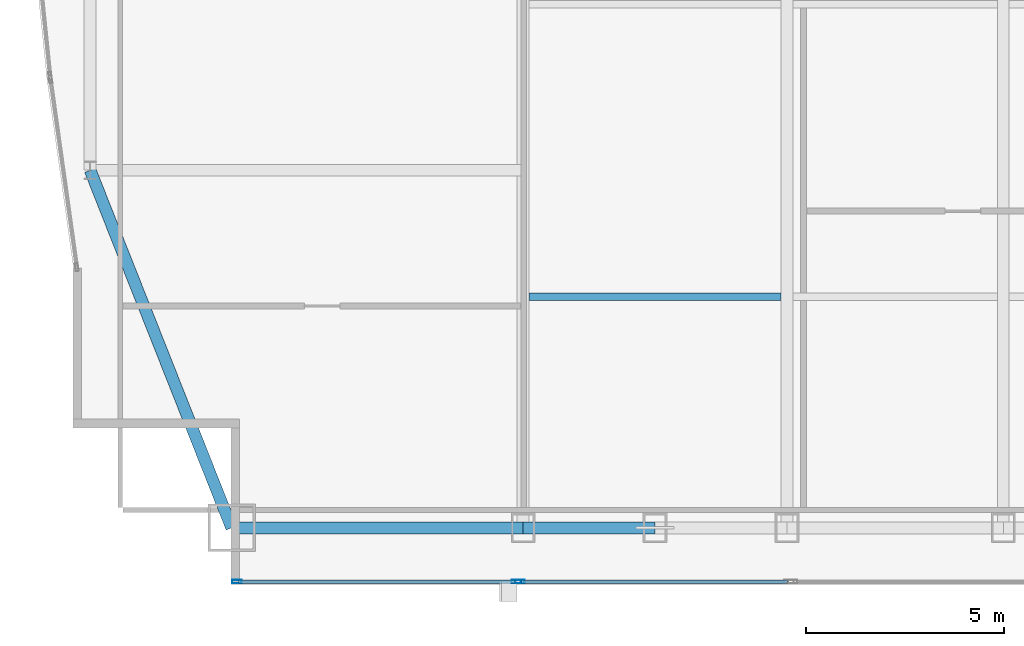
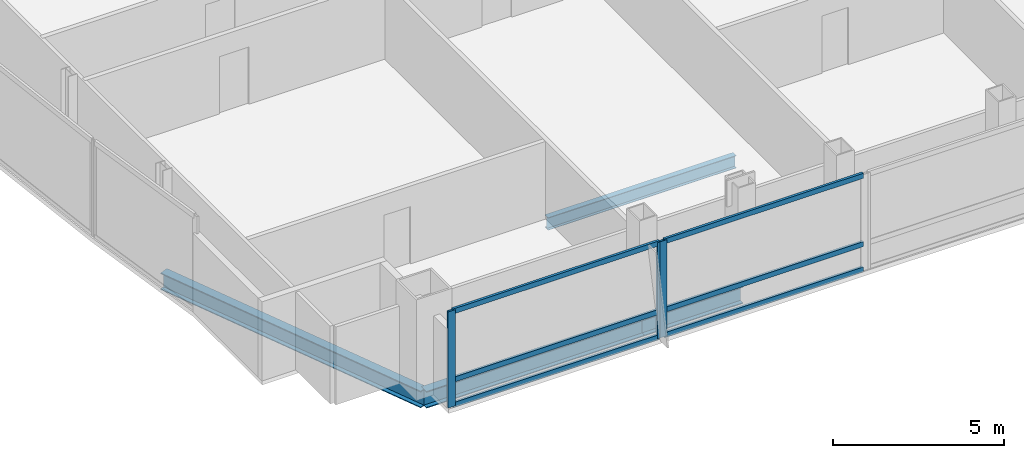
# One storey, part 5 of 32: 9 members, 4 beams, 2 elements without a shape of their own.
"""IFC4 building model written with IfcOpenShell, lengths in metres."""

from ifc_helpers import new_model, si_unit, direction, frame, origin, origin_2d, place, context, subcontext, project, spatial, hollow_rectangle, i_section, extrude, material, material_profile, profile_set, type_object, element, aggregate, save


model = new_model("IFC4")

# Units and contexts
model_context = context("Model", 3, precision=1e-05, world=origin(), true_north=direction((0.0, 1.0)))
body_context = subcontext(model_context, "Body", "Model", "MODEL_VIEW")
ifc_project = project(units=[si_unit("LENGTHUNIT", "METRE"), si_unit("AREAUNIT", "SQUARE_METRE"), si_unit("VOLUMEUNIT", "CUBIC_METRE"), si_unit("PLANEANGLEUNIT", "RADIAN"), si_unit("MASSUNIT", "GRAM", prefix="KILO")], contexts=[model_context])

# Site, building, storey
site_placement = place(None, origin())
site = spatial("IfcSite", under=ifc_project, at=site_placement, CompositionType="ELEMENT")
building_placement = place(site_placement, origin())
building = spatial("IfcBuilding", under=site, at=building_placement, Name="Khoronbel Lancet Exchange", CompositionType="ELEMENT")
storey_placement = place(building_placement, frame((0.0, 0.0, 228.199951171875)))
storey = spatial("IfcBuildingStorey", under=building, at=storey_placement, Name="L58", CompositionType="ELEMENT", Elevation=228.199951171875)

# Beams
ifc_material_1 = material(Name="Steel S355", Category="steel")
ifc_material_profile_1 = material_profile(ifc_material_1, i_section(OverallWidth=0.18994140625, OverallDepth=0.449951171875, WebThickness=0.009521484375, FlangeThickness=0.0146484375, at=origin_2d()), Name="IPE 450")
ifc_profile_set_1 = profile_set([ifc_material_profile_1], Name="Steel S355")
beam_type_1 = type_object("IfcBeamType", Name="BM-BJ4", PredefinedType="JOIST", material=ifc_profile_set_1)
beam_1_placement = place(storey_placement, frame((18.375, 16.0, -0.385009765625), z_axis=(1.0, 0.0, 0.0), x_axis=(0.0, 1.0, 0.0)))
element("IfcBeam", 1, at=beam_1_placement, inside=storey, type_object=beam_type_1, Name="Level L58 secondary composite joist J01", PredefinedType="JOIST", context=body_context, shape_type="SweptSolid", body=[
    extrude(i_section(OverallWidth=0.18994140625, OverallDepth=0.449951171875, WebThickness=0.009521484375, FlangeThickness=0.0146484375, at=origin_2d()), origin(), (0.0, 0.0, 1.0), 6.375),
])
ifc_material_profile_2 = material_profile(ifc_material_1, i_section(OverallWidth=0.300048828125, OverallDepth=0.60009765625, WebThickness=0.015380859375, FlangeThickness=0.030029296875, at=origin_2d()), Name="HEB 600")
ifc_profile_set_2 = profile_set([ifc_material_profile_2], Name="Steel S355")
beam_type_2 = type_object("IfcBeamType", Name="BM-BSP2", PredefinedType="SPANDREL", material=ifc_profile_set_2)
beam_2_placement = place(storey_placement, frame((10.85009765625, 10.14990234375, -0.4599609375), z_axis=(1.0, 0.0, 0.0), x_axis=(0.0, 1.0, 0.0)))
element("IfcBeam", 2, at=beam_2_placement, inside=storey, type_object=beam_type_2, Name="Level L58 perimeter spandrel beam SP01", PredefinedType="SPANDREL", context=body_context, shape_type="SweptSolid", body=[
    extrude(i_section(OverallWidth=0.300048828125, OverallDepth=0.60009765625, WebThickness=0.015380859375, FlangeThickness=0.030029296875, at=origin_2d()), origin(), (0.0, 0.0, 1.0), 7.375),
])
beam_3_placement = place(storey_placement, frame((18.22509765625, 10.14990234375, -0.4599609375), z_axis=(1.0, 0.0, 0.0), x_axis=(0.0, 1.0, 0.0)))
element("IfcBeam", 3, at=beam_3_placement, inside=storey, type_object=beam_type_2, Name="Level L58 perimeter spandrel beam SP02", PredefinedType="SPANDREL", context=body_context, shape_type="SweptSolid", body=[
    extrude(i_section(OverallWidth=0.300048828125, OverallDepth=0.60009765625, WebThickness=0.015380859375, FlangeThickness=0.030029296875, at=origin_2d()), origin(), (0.0, 0.0, 1.0), 3.33740234375),
])
beam_4_placement = place(storey_placement, frame((7.27001953125, 19.199951171875, -0.4599609375), z_axis=(0.367850095026, -0.92988510451, 0.0), x_axis=(0.92988510451, 0.367850095026, 0.0)))
element("IfcBeam", 4, at=beam_4_placement, inside=storey, type_object=beam_type_2, Name="Level L58 perimeter spandrel beam SP21", PredefinedType="SPANDREL", context=body_context, shape_type="SweptSolid", body=[
    extrude(i_section(OverallWidth=0.300048828125, OverallDepth=0.60009765625, WebThickness=0.015380859375, FlangeThickness=0.030029296875, at=origin_2d()), origin(), (0.0, 0.0, 1.0), 9.732421875),
])

# Curtain wall, members
ifc_material_2 = material(Name="Low-E Solar Control Insulating Glass", Category="glass")
curtain_wall_type = type_object("IfcCurtainWallType", Name="CW-3", PredefinedType="NOTDEFINED", material=ifc_material_2)
curtain_wall_1_placement = place(storey_placement, origin())
curtain_wall_1 = element("IfcCurtainWall", 5, at=curtain_wall_1_placement, inside=storey, type_object=curtain_wall_type, Name="Unitised curtain wall CW-L58-SWV", PredefinedType="NOTDEFINED")
ifc_material_3 = material(Name="Bronze-Anodised Aluminium 6063-T6", Category="aluminium")
ifc_material_profile_3 = material_profile(ifc_material_3, hollow_rectangle(XDim=0.0849609375, YDim=0.239990234375, WallThickness=0.006103515625, at=origin_2d()), Name="ALU MULLION 85x240")
ifc_profile_set_3 = profile_set([ifc_material_profile_3], Name="Bronze-Anodised Aluminium 6063-T6")
member_type_1 = type_object("IfcMemberType", Name="MEM-CWM1", PredefinedType="MULLION", material=ifc_profile_set_3)
member_1_placement = place(storey_placement, frame((10.982421875, 8.7900390625, 0.0), z_axis=(0.0, 0.0, 1.0), x_axis=(0.0, 1.0, 0.0)))
member_1 = element("IfcMember", 6, at=member_1_placement, type_object=member_type_1, Name="CW3 mullion 1", PredefinedType="MULLION", context=body_context, shape_type="SweptSolid", body=[
    extrude(hollow_rectangle(XDim=0.0849609375, YDim=0.239990234375, WallThickness=0.006103515625, at=origin_2d()), origin(), (0.0, 0.0, 1.0), 3.43994140625),
])
member_2_placement = place(storey_placement, frame((18.0576171875, 8.7900390625, 0.0), z_axis=(0.0, 0.0, 1.0), x_axis=(0.0, 1.0, 0.0)))
member_2 = element("IfcMember", 7, at=member_2_placement, type_object=member_type_1, Name="CW3 mullion 2", PredefinedType="MULLION", context=body_context, shape_type="SweptSolid", body=[
    extrude(hollow_rectangle(XDim=0.0849609375, YDim=0.239990234375, WallThickness=0.006103515625, at=origin_2d()), origin(), (0.0, 0.0, 1.0), 3.43994140625),
])

# Curtain wall, member
curtain_wall_2_placement = place(storey_placement, origin())
curtain_wall_2 = element("IfcCurtainWall", 8, at=curtain_wall_2_placement, inside=storey, type_object=curtain_wall_type, Name="Unitised curtain wall CW-L58-SWB", PredefinedType="NOTDEFINED")
member_3_placement = place(storey_placement, frame((18.142578125, 8.7900390625, 0.0), z_axis=(0.0, 0.0, 1.0), x_axis=(0.0, 1.0, 0.0)))
member_3 = element("IfcMember", 9, at=member_3_placement, type_object=member_type_1, Name="CW3 mullion 1", PredefinedType="MULLION", context=body_context, shape_type="SweptSolid", body=[
    extrude(hollow_rectangle(XDim=0.0849609375, YDim=0.239990234375, WallThickness=0.006103515625, at=origin_2d()), origin(), (0.0, 0.0, 1.0), 3.43994140625),
])

# Member
ifc_material_profile_4 = material_profile(ifc_material_3, hollow_rectangle(XDim=0.0849609375, YDim=0.179931640625, WallThickness=0.0048828125, at=origin_2d()), Name="ALU TRANSOM 85x180")
ifc_profile_set_4 = profile_set([ifc_material_profile_4], Name="Bronze-Anodised Aluminium 6063-T6")
member_type_2 = type_object("IfcMemberType", Name="MEM-CWT1", PredefinedType="USERDEFINED", material=ifc_profile_set_4)
member_4_placement = place(storey_placement, frame((11.02490234375, 8.7900390625, 0.04248046875), z_axis=(1.0, 0.0, 0.0), x_axis=(0.0, 1.0, 0.0)))
member_4 = element("IfcMember", 10, at=member_4_placement, type_object=member_type_2, Name="CW3 transom 1.1", ObjectType="TRANSOM", PredefinedType="USERDEFINED", context=body_context, shape_type="SweptSolid", body=[
    extrude(hollow_rectangle(XDim=0.0849609375, YDim=0.179931640625, WallThickness=0.0048828125, at=origin_2d()), origin(), (0.0, 0.0, 1.0), 6.989990234375),
])

member_5_placement = place(storey_placement, frame((11.02490234375, 8.7900390625, 0.949951171875), z_axis=(1.0, 0.0, 0.0), x_axis=(0.0, 1.0, 0.0)))
member_5 = element("IfcMember", 11, at=member_5_placement, type_object=member_type_2, Name="CW3 transom 1.2", ObjectType="TRANSOM", PredefinedType="USERDEFINED", context=body_context, shape_type="SweptSolid", body=[
    extrude(hollow_rectangle(XDim=0.0849609375, YDim=0.179931640625, WallThickness=0.0048828125, at=origin_2d()), origin(), (0.0, 0.0, 1.0), 6.989990234375),
])

member_6_placement = place(storey_placement, frame((11.02490234375, 8.7900390625, 3.3974609375), z_axis=(1.0, 0.0, 0.0), x_axis=(0.0, 1.0, 0.0)))
member_6 = element("IfcMember", 12, at=member_6_placement, type_object=member_type_2, Name="CW3 transom 1.3", ObjectType="TRANSOM", PredefinedType="USERDEFINED", context=body_context, shape_type="SweptSolid", body=[
    extrude(hollow_rectangle(XDim=0.0849609375, YDim=0.179931640625, WallThickness=0.0048828125, at=origin_2d()), origin(), (0.0, 0.0, 1.0), 6.989990234375),
])

aggregate(curtain_wall_1, [member_1, member_2, member_4, member_5, member_6])

member_7_placement = place(storey_placement, frame((18.18505859375, 8.7900390625, 0.04248046875), z_axis=(1.0, 0.0, 0.0), x_axis=(0.0, 1.0, 0.0)))
member_7 = element("IfcMember", 13, at=member_7_placement, type_object=member_type_2, Name="CW3 transom 1.1", ObjectType="TRANSOM", PredefinedType="USERDEFINED", context=body_context, shape_type="SweptSolid", body=[
    extrude(hollow_rectangle(XDim=0.0849609375, YDim=0.179931640625, WallThickness=0.0048828125, at=origin_2d()), origin(), (0.0, 0.0, 1.0), 6.72998046875),
])

member_8_placement = place(storey_placement, frame((18.18505859375, 8.7900390625, 0.949951171875), z_axis=(1.0, 0.0, 0.0), x_axis=(0.0, 1.0, 0.0)))
member_8 = element("IfcMember", 14, at=member_8_placement, type_object=member_type_2, Name="CW3 transom 1.2", ObjectType="TRANSOM", PredefinedType="USERDEFINED", context=body_context, shape_type="SweptSolid", body=[
    extrude(hollow_rectangle(XDim=0.0849609375, YDim=0.179931640625, WallThickness=0.0048828125, at=origin_2d()), origin(), (0.0, 0.0, 1.0), 6.72998046875),
])

member_9_placement = place(storey_placement, frame((18.18505859375, 8.7900390625, 3.3974609375), z_axis=(1.0, 0.0, 0.0), x_axis=(0.0, 1.0, 0.0)))
member_9 = element("IfcMember", 15, at=member_9_placement, type_object=member_type_2, Name="CW3 transom 1.3", ObjectType="TRANSOM", PredefinedType="USERDEFINED", context=body_context, shape_type="SweptSolid", body=[
    extrude(hollow_rectangle(XDim=0.0849609375, YDim=0.179931640625, WallThickness=0.0048828125, at=origin_2d()), origin(), (0.0, 0.0, 1.0), 6.72998046875),
])

aggregate(curtain_wall_2, [member_3, member_7, member_8, member_9])

save(model, "model.ifc")
